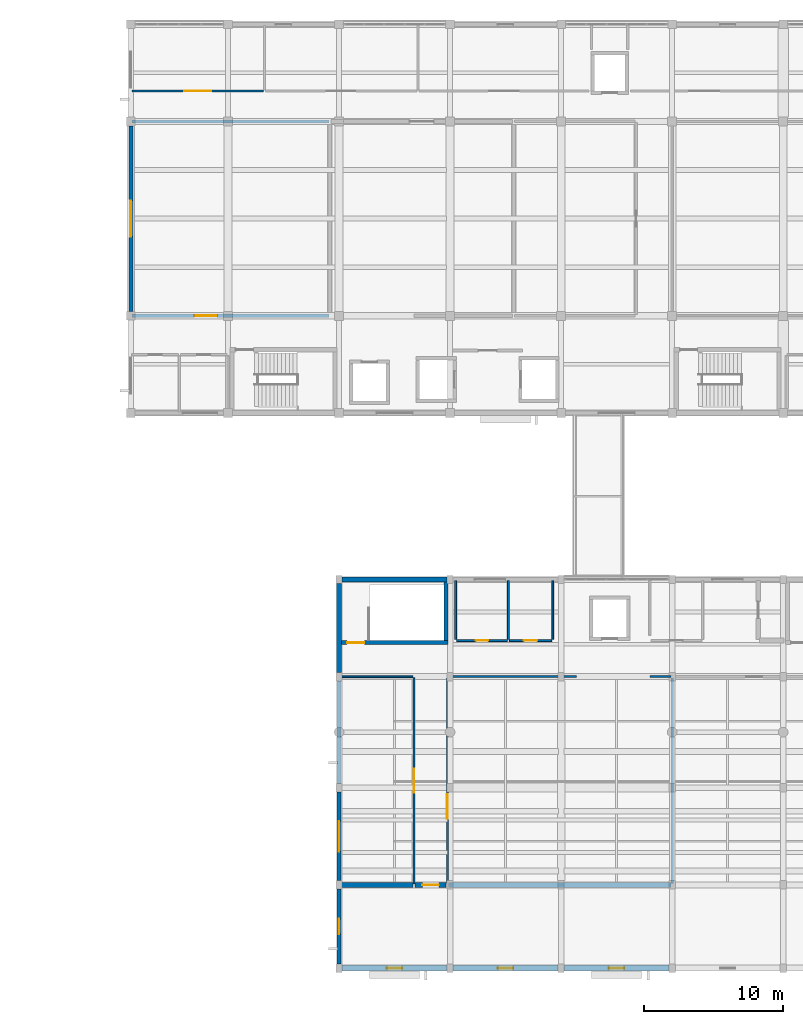
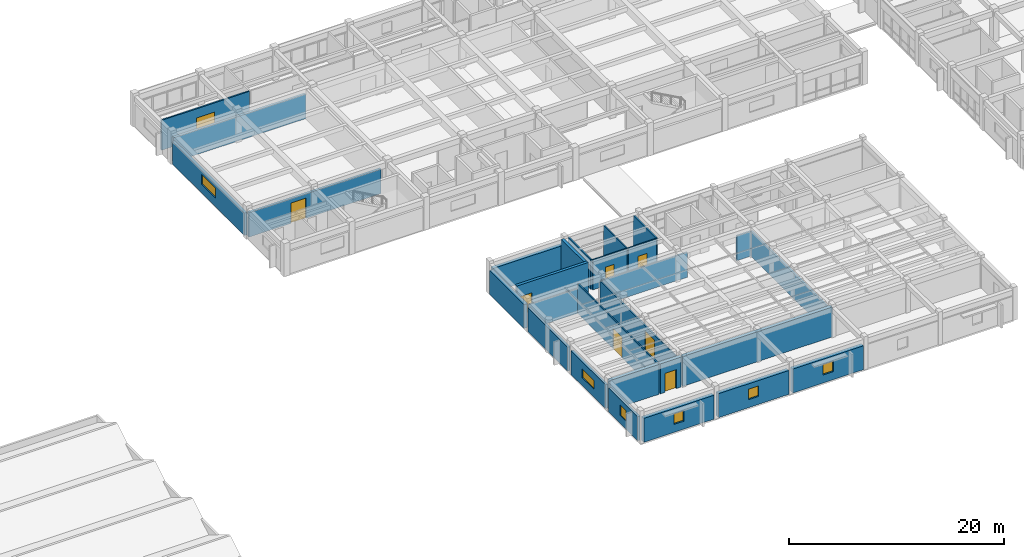
# One storey, part 22 of 33: 28 walls, 8 doors, 6 windows, 14 openings.
"""IFC4 building model written with IfcOpenShell, lengths in metres."""

from ifc_helpers import new_model, si_unit, direction, frame, frame_2d, origin, place, context, subcontext, project, spatial, rectangle, extrude, material, layer, layer_set, type_object, element, fill, save


model = new_model("IFC4")

# Units and contexts
model_context = context("Model", 3, precision=1e-05, world=origin(), true_north=direction((0.0, 1.0)))
body_context = subcontext(model_context, "Body", "Model", "MODEL_VIEW")
ifc_project = project(units=[si_unit("LENGTHUNIT", "METRE"), si_unit("AREAUNIT", "SQUARE_METRE"), si_unit("VOLUMEUNIT", "CUBIC_METRE"), si_unit("PLANEANGLEUNIT", "RADIAN"), si_unit("MASSUNIT", "GRAM", prefix="KILO")], contexts=[model_context])

# Site, building, storey
site_placement = place(None, origin())
site = spatial("IfcSite", under=ifc_project, at=site_placement, CompositionType="ELEMENT")
building_placement = place(site_placement, origin())
building = spatial("IfcBuilding", under=site, at=building_placement, Name="Naurynzar Civic Courthouse", CompositionType="ELEMENT")
storey_placement = place(building_placement, frame((0.0, 0.0, 22.050048828125)))
storey = spatial("IfcBuildingStorey", under=building, at=storey_placement, Name="L06", CompositionType="ELEMENT", Elevation=22.050048828125)

# Wall, opening, door
ifc_material_1 = material(Name="Acoustic Double-Stud Gypsum Partition")
ifc_layer_1 = layer(ifc_material_1, 0.2451171875)
ifc_layer_set_1 = layer_set([ifc_layer_1], Name="WL-ACOUSTIC-245")
wall_type_1 = type_object("IfcWallType", Name="WL-ACOUSTIC-245", PredefinedType="PARTITIONING", material=ifc_layer_set_1)
wall_1_placement = place(storey_placement, frame((62.080078125, 51.0, 0.0), z_axis=(0.0, 0.0, 1.0), x_axis=(1.0, 0.0, 0.0)))
wall_1 = element("IfcWall", 1, at=wall_1_placement, inside=storey, type_object=wall_type_1, Name="V2 interior partition L06.671", PredefinedType="PARTITIONING", context=body_context, shape_type="SweptSolid", body=[
    extrude(rectangle(XDim=14.179931640625, YDim=0.2451171875, at=frame_2d((7.08984375, 0.0))), origin(), (0.0, 0.0, 1.0), 2.780029296875),
])
opening_1_placement = place(wall_1_placement, frame((4.490478515625, 0.0, 0.0)))
opening_1 = element("IfcOpeningElement", 2, at=opening_1_placement, cuts=wall_1, Name="Opening D-166", PredefinedType="OPENING", context=body_context, shape_type="SweptSolid", body=[
    extrude(rectangle(XDim=1.64990234375, YDim=2.300048828125, at=frame_2d((0.824951171875, 1.14990234375))), frame((0.0, 0.132568359375, 0.0), z_axis=(0.0, -1.0, 0.0), x_axis=(1.0, 0.0, 0.0)), (0.0, 0.0, 1.0), 0.26513671875),
])
ifc_material_2 = material(Name="Acoustic Oak Timber Grade A", Category="wood")
door_type_1 = type_object("IfcDoorType", Name="DR-SUITE-1650x2300", OperationType="DOUBLE_DOOR_SINGLE_SWING", PredefinedType="DOOR", material=ifc_material_2)
door_1_placement = place(opening_1_placement, origin())
door_1 = element("IfcDoor", 3, at=door_1_placement, inside=storey, type_object=door_type_1, Name="Interior door D-166 (Tax and Customs Courtroom 6A)", OperationType="DOUBLE_DOOR_SINGLE_SWING", OverallHeight=2.300048828125, OverallWidth=1.64990234375, PredefinedType="DOOR", context=body_context, shape_type="SweptSolid", body=[
    extrude(rectangle(XDim=1.64990234375, YDim=2.300048828125, at=frame_2d((0.824951171875, 1.14990234375))), frame((0.0, 0.02490234375, 0.0), z_axis=(0.0, -1.0, 0.0), x_axis=(1.0, 0.0, 0.0)), (0.0, 0.0, 1.0), 0.050048828125),
])
fill(opening_1, door_1)

# Wall
wall_2_placement = place(storey_placement, frame((62.080078125, 65.0, 0.0), z_axis=(0.0, 0.0, 1.0), x_axis=(1.0, 0.0, 0.0)))
element("IfcWall", 4, at=wall_2_placement, inside=storey, type_object=wall_type_1, Name="V2 interior partition L06.677", PredefinedType="PARTITIONING", context=body_context, shape_type="SweptSolid", body=[
    extrude(rectangle(XDim=14.179931640625, YDim=0.2451171875, at=frame_2d((7.08984375, 0.0))), origin(), (0.0, 0.0, 1.0), 2.780029296875),
])

# Wall, opening, door
ifc_material_3 = material(Name="Concrete C40/50", Category="concrete")
ifc_layer_2 = layer(ifc_material_3, 0.300048828125)
ifc_layer_set_2 = layer_set([ifc_layer_2], Name="WL-CORE-300")
wall_type_2 = type_object("IfcWallType", Name="WL-CORE-300", PredefinedType="SHEAR", material=ifc_layer_set_2)
wall_3_placement = place(storey_placement, frame((77.195068359375, 27.449951171875, 0.0), z_axis=(0.0, 0.0, 1.0), x_axis=(1.0, 0.0, 0.0)))
wall_3 = element("IfcWall", 5, at=wall_3_placement, inside=storey, type_object=wall_type_2, Name="Stair ST-V3A enclosure wall south L06", PredefinedType="SHEAR", context=body_context, shape_type="SweptSolid", body=[
    extrude(rectangle(XDim=7.655029296875, YDim=0.300048828125, at=frame_2d((3.82763671875, 0.0))), origin(), (0.0, 0.0, 1.0), 3.469970703125),
])
opening_2_placement = place(wall_3_placement, frame((0.3798828125, 0.0, 0.0)))
opening_2 = element("IfcOpeningElement", 6, at=opening_2_placement, cuts=wall_3, Name="Opening SD-051", PredefinedType="OPENING", context=body_context, shape_type="SweptSolid", body=[
    extrude(rectangle(XDim=1.25, YDim=2.14990234375, at=frame_2d((0.625, 1.074951171875))), frame((0.0, 0.159912109375, 0.0), z_axis=(0.0, -1.0, 0.0), x_axis=(1.0, 0.0, 0.0)), (0.0, 0.0, 1.0), 0.320068359375),
])
ifc_material_4 = material(Name="Powder-Coated Galvanised Steel", Category="steel")
door_type_2 = type_object("IfcDoorType", Name="DR-STAIR-1250x2150", OperationType="NOTDEFINED", PredefinedType="DOOR", material=ifc_material_4)
door_2_placement = place(opening_2_placement, origin())
door_2 = element("IfcDoor", 7, at=door_2_placement, inside=storey, type_object=door_type_2, Name="Stair ST-V3A fire door L06", OperationType="SINGLE_SWING_LEFT", OverallHeight=2.14990234375, OverallWidth=1.25, PredefinedType="DOOR", context=body_context, shape_type="SweptSolid", body=[
    extrude(rectangle(XDim=1.25, YDim=2.14990234375, at=frame_2d((0.625, 1.074951171875))), frame((0.0, 0.02490234375, 0.0), z_axis=(0.0, -1.0, 0.0), x_axis=(1.0, 0.0, 0.0)), (0.0, 0.0, 1.0), 0.050048828125),
])
fill(opening_2, door_2)

# Walls
wall_4_placement = place(storey_placement, frame((84.699951171875, 27.60498046875, 0.0), z_axis=(0.0, 0.0, 1.0), x_axis=(0.0, 1.0, 0.0)))
element("IfcWall", 8, at=wall_4_placement, inside=storey, type_object=wall_type_2, Name="Stair ST-V3A enclosure wall east L06", PredefinedType="SHEAR", context=body_context, shape_type="SweptSolid", body=[
    extrude(rectangle(XDim=4.199951171875, YDim=0.300048828125, at=frame_2d((2.10009765625, 0.0))), origin(), (0.0, 0.0, 1.0), 3.469970703125),
])
ifc_material_5 = material(Name="Concrete C40/50", Category="concrete")
ifc_layer_3 = layer(ifc_material_5, 0.35009765625)
ifc_layer_set_3 = layer_set([ifc_layer_3], Name="WL-CORE-350")
wall_type_3 = type_object("IfcWallType", Name="WL-CORE-350", PredefinedType="SHEAR", material=ifc_layer_set_3)
wall_5_placement = place(storey_placement, frame((77.080078125, 10.0, 0.0), z_axis=(0.0, 0.0, 1.0), x_axis=(1.0, 0.0, 0.0)))
element("IfcWall", 9, at=wall_5_placement, inside=storey, type_object=wall_type_3, Name="V3 interior partition L06.649", PredefinedType="SHEAR", context=body_context, shape_type="SweptSolid", body=[
    extrude(rectangle(XDim=5.239990234375, YDim=0.35009765625, at=frame_2d((2.6201171875, 0.0))), origin(), (0.0, 0.0, 1.0), 3.389892578125),
])

# Wall, opening, door
wall_6_placement = place(storey_placement, frame((82.47998046875, 10.0, 0.0), z_axis=(0.0, 0.0, 1.0), x_axis=(1.0, 0.0, 0.0)))
wall_6 = element("IfcWall", 10, at=wall_6_placement, inside=storey, type_object=wall_type_3, Name="V3 interior partition L06.650", PredefinedType="SHEAR", context=body_context, shape_type="SweptSolid", body=[
    extrude(rectangle(XDim=2.239990234375, YDim=0.35009765625, at=frame_2d((1.1201171875, 0.0))), origin(), (0.0, 0.0, 1.0), 3.389892578125),
])
opening_3_placement = place(wall_6_placement, frame((0.52001953125, 0.0, 0.0)))
opening_3 = element("IfcOpeningElement", 11, at=opening_3_placement, cuts=wall_6, Name="Opening D-263", PredefinedType="OPENING", context=body_context, shape_type="SweptSolid", body=[
    extrude(rectangle(XDim=1.199951171875, YDim=2.14990234375, at=frame_2d((0.60009765625, 1.074951171875))), frame((0.0, 0.18505859375, 0.0), z_axis=(0.0, -1.0, 0.0), x_axis=(1.0, 0.0, 0.0)), (0.0, 0.0, 1.0), 0.3701171875),
])
ifc_material_6 = material(Name="Powder-Coated Galvanised Steel", Category="steel")
door_type_3 = type_object("IfcDoorType", Name="DR-ARCH-1200x2150", OperationType="NOTDEFINED", PredefinedType="DOOR", material=ifc_material_6)
door_3_placement = place(opening_3_placement, origin())
door_3 = element("IfcDoor", 12, at=door_3_placement, inside=storey, type_object=door_type_3, Name="Interior door D-263 (Law Library Book Stacks South L06)", OperationType="SINGLE_SWING_LEFT", OverallHeight=2.14990234375, OverallWidth=1.199951171875, PredefinedType="DOOR", context=body_context, shape_type="SweptSolid", body=[
    extrude(rectangle(XDim=1.199951171875, YDim=2.14990234375, at=frame_2d((0.60009765625, 1.074951171875))), frame((0.0, 0.02490234375, 0.0), z_axis=(0.0, -1.0, 0.0), x_axis=(1.0, 0.0, 0.0)), (0.0, 0.0, 1.0), 0.050048828125),
])
fill(opening_3, door_3)

# Wall
wall_7_placement = place(storey_placement, frame((84.8798828125, 10.0, 0.0), z_axis=(0.0, 0.0, 1.0), x_axis=(1.0, 0.0, 0.0)))
element("IfcWall", 13, at=wall_7_placement, inside=storey, type_object=wall_type_3, Name="V3 interior partition L06.651", PredefinedType="SHEAR", context=body_context, shape_type="SweptSolid", body=[
    extrude(rectangle(XDim=16.0400390625, YDim=0.35009765625, at=frame_2d((8.02001953125, 0.0))), origin(), (0.0, 0.0, 1.0), 3.389892578125),
])

# Wall, opening, window
ifc_material_7 = material(Name="Precast concrete C40/50", Category="concrete")
ifc_layer_4 = layer(ifc_material_7, 0.260009765625)
ifc_layer_set_4 = layer_set([ifc_layer_4], Name="WL-EXT-260")
wall_type_4 = type_object("IfcWallType", Name="WL-EXT-260", PredefinedType="SOLIDWALL", material=ifc_layer_set_4)
wall_8_placement = place(storey_placement, frame((77.0, 4.300048828125, 0.0), z_axis=(0.0, 0.0, 1.0), x_axis=(0.0, 1.0, 0.0)))
wall_8 = element("IfcWall", 14, at=wall_8_placement, inside=storey, type_object=wall_type_4, Name="V3 exterior wall west L06.1.1", PredefinedType="SOLIDWALL", context=body_context, shape_type="SweptSolid", body=[
    extrude(rectangle(XDim=5.39990234375, YDim=0.260009765625, at=frame_2d((2.699951171875, 0.0))), origin(), (0.0, 0.0, 1.0), 2.7099609375),
])
opening_4_placement = place(wall_8_placement, frame((2.14990234375, 0.0, 0.89990234375)))
opening_4 = element("IfcOpeningElement", 15, at=opening_4_placement, cuts=wall_8, Name="Opening WN-15", PredefinedType="OPENING", context=body_context, shape_type="SweptSolid", body=[
    extrude(rectangle(XDim=1.10009765625, YDim=1.199951171875, at=frame_2d((0.550048828125, 0.60009765625))), frame((0.0, 0.139892578125, 0.0), z_axis=(0.0, -1.0, 0.0), x_axis=(1.0, 0.0, 0.0)), (0.0, 0.0, 1.0), 0.280029296875),
])
ifc_material_8 = material(Name="Tempered Laminated Low-E Glass", Category="glass")
window_type_1 = type_object("IfcWindowType", Name="WIN-SEC-1100x1200", PartitioningType="SINGLE_PANEL", PredefinedType="WINDOW", material=ifc_material_8)
window_1_placement = place(opening_4_placement, origin())
window_1 = element("IfcWindow", 16, at=window_1_placement, inside=storey, type_object=window_type_1, Name="V3 window 202 L06", OverallHeight=1.199951171875, OverallWidth=1.10009765625, PartitioningType="SINGLE_PANEL", PredefinedType="WINDOW", context=body_context, shape_type="SweptSolid", body=[
    extrude(rectangle(XDim=1.10009765625, YDim=1.199951171875, at=frame_2d((0.550048828125, 0.60009765625))), frame((0.0, 0.030029296875, 0.0), z_axis=(0.0, -1.0, 0.0), x_axis=(1.0, 0.0, 0.0)), (0.0, 0.0, 1.0), 0.06005859375),
])
fill(opening_4, window_1)

wall_9_placement = place(storey_placement, frame((77.0, 10.300048828125, 0.0), z_axis=(0.0, 0.0, 1.0), x_axis=(0.0, 1.0, 0.0)))
wall_9 = element("IfcWall", 17, at=wall_9_placement, inside=storey, type_object=wall_type_4, Name="V3 exterior wall west L06.2.1", PredefinedType="SOLIDWALL", context=body_context, shape_type="SweptSolid", body=[
    extrude(rectangle(XDim=6.39990234375, YDim=0.260009765625, at=frame_2d((3.199951171875, 0.0))), origin(), (0.0, 0.0, 1.0), 2.7099609375),
])
opening_5_placement = place(wall_9_placement, frame((2.10009765625, 0.0, 0.89990234375)))
opening_5 = element("IfcOpeningElement", 18, at=opening_5_placement, cuts=wall_9, Name="Opening WN-18", PredefinedType="OPENING", context=body_context, shape_type="SweptSolid", body=[
    extrude(rectangle(XDim=2.199951171875, YDim=1.0, at=frame_2d((1.10009765625, 0.5))), frame((0.0, 0.139892578125, 0.0), z_axis=(0.0, -1.0, 0.0), x_axis=(1.0, 0.0, 0.0)), (0.0, 0.0, 1.0), 0.280029296875),
])
ifc_material_9 = material(Name="Tempered Laminated Low-E Glass", Category="glass")
window_type_2 = type_object("IfcWindowType", Name="WIN-CLER-2200x1000", PartitioningType="DOUBLE_PANEL_VERTICAL", PredefinedType="WINDOW", material=ifc_material_9)
window_2_placement = place(opening_5_placement, origin())
window_2 = element("IfcWindow", 19, at=window_2_placement, inside=storey, type_object=window_type_2, Name="V3 window 203 L06", OverallHeight=1.0, OverallWidth=2.199951171875, PartitioningType="SINGLE_PANEL", PredefinedType="WINDOW", context=body_context, shape_type="SweptSolid", body=[
    extrude(rectangle(XDim=2.199951171875, YDim=1.0, at=frame_2d((1.10009765625, 0.5))), frame((0.0, 0.030029296875, 0.0), z_axis=(0.0, -1.0, 0.0), x_axis=(1.0, 0.0, 0.0)), (0.0, 0.0, 1.0), 0.06005859375),
])
fill(opening_5, window_2)

# Wall
wall_10_placement = place(storey_placement, frame((77.0, 17.300048828125, 0.0), z_axis=(0.0, 0.0, 1.0), x_axis=(0.0, 1.0, 0.0)))
element("IfcWall", 20, at=wall_10_placement, inside=storey, type_object=wall_type_4, Name="V3 exterior wall west L06.3.1", PredefinedType="SOLIDWALL", context=body_context, shape_type="SweptSolid", body=[
    extrude(rectangle(XDim=7.39990234375, YDim=0.260009765625, at=frame_2d((3.699951171875, 0.0))), origin(), (0.0, 0.0, 1.0), 2.7099609375),
])

# Wall, opening, window
ifc_material_10 = material(Name="Precast concrete C40/50", Category="concrete")
ifc_layer_5 = layer(ifc_material_10, 0.280029296875)
ifc_layer_set_5 = layer_set([ifc_layer_5], Name="WL-EXT-280")
wall_type_5 = type_object("IfcWallType", Name="WL-EXT-280", PredefinedType="SOLIDWALL", material=ifc_layer_set_5)
wall_11_placement = place(storey_placement, frame((62.0, 51.3125, 0.0), z_axis=(0.0, 0.0, 1.0), x_axis=(0.0, 1.0, 0.0)))
wall_11 = element("IfcWall", 21, at=wall_11_placement, inside=storey, type_object=wall_type_5, Name="V2 exterior wall west L06.2.1", PredefinedType="SOLIDWALL", context=body_context, shape_type="SweptSolid", body=[
    extrude(rectangle(XDim=13.375, YDim=0.280029296875, at=frame_2d((6.6875, 0.0))), origin(), (0.0, 0.0, 1.0), 2.56005859375),
])
opening_6_placement = place(wall_11_placement, frame((5.387451171875, 0.0, 1.0)))
opening_6 = element("IfcOpeningElement", 22, at=opening_6_placement, cuts=wall_11, Name="Opening WN-17", PredefinedType="OPENING", context=body_context, shape_type="SweptSolid", body=[
    extrude(rectangle(XDim=2.60009765625, YDim=1.10009765625, at=frame_2d((1.300048828125, 0.550048828125))), frame((0.0, 0.14990234375, 0.0), z_axis=(0.0, -1.0, 0.0), x_axis=(1.0, 0.0, 0.0)), (0.0, 0.0, 1.0), 0.300048828125),
])
ifc_material_11 = material(Name="Tempered Laminated Low-E Glass", Category="glass")
window_type_3 = type_object("IfcWindowType", Name="WIN-CLER-2600x1100", PartitioningType="DOUBLE_PANEL_VERTICAL", PredefinedType="WINDOW", material=ifc_material_11)
window_3_placement = place(opening_6_placement, origin())
window_3 = element("IfcWindow", 23, at=window_3_placement, inside=storey, type_object=window_type_3, Name="V2 window 93 L06", OverallHeight=1.10009765625, OverallWidth=2.60009765625, PartitioningType="SINGLE_PANEL", PredefinedType="WINDOW", context=body_context, shape_type="SweptSolid", body=[
    extrude(rectangle(XDim=2.60009765625, YDim=1.10009765625, at=frame_2d((1.300048828125, 0.550048828125))), frame((0.0, 0.030029296875, 0.0), z_axis=(0.0, -1.0, 0.0), x_axis=(1.0, 0.0, 0.0)), (0.0, 0.0, 1.0), 0.06005859375),
])
fill(opening_6, window_3)

# Wall, opening, door
ifc_material_12 = material(Name="Insulated Metal-Stud Gypsum Partition")
ifc_layer_6 = layer(ifc_material_12, 0.159912109375)
ifc_layer_set_6 = layer_set([ifc_layer_6], Name="WL-PART-CHAMB-160")
wall_type_6 = type_object("IfcWallType", Name="WL-PART-CHAMB-160", PredefinedType="PARTITIONING", material=ifc_layer_set_6)
wall_12_placement = place(storey_placement, frame((62.080078125, 67.199951171875, 0.0), z_axis=(0.0, 0.0, 1.0), x_axis=(1.0, 0.0, 0.0)))
wall_12 = element("IfcWall", 24, at=wall_12_placement, inside=storey, type_object=wall_type_6, Name="V2 interior partition L06.684", PredefinedType="PARTITIONING", context=body_context, shape_type="SweptSolid", body=[
    extrude(rectangle(XDim=9.4599609375, YDim=0.159912109375, at=frame_2d((4.72998046875, 0.0))), origin(), (0.0, 0.0, 1.0), 3.389892578125),
])
opening_7_placement = place(wall_12_placement, frame((3.7548828125, 0.0, 0.0)))
opening_7 = element("IfcOpeningElement", 25, at=opening_7_placement, cuts=wall_12, Name="Opening D-170", PredefinedType="OPENING", context=body_context, shape_type="SweptSolid", body=[
    extrude(rectangle(XDim=1.949951171875, YDim=2.35009765625, at=frame_2d((0.97509765625, 1.175048828125))), frame((0.0, 0.08984375, 0.0), z_axis=(0.0, -1.0, 0.0), x_axis=(1.0, 0.0, 0.0)), (0.0, 0.0, 1.0), 0.179931640625),
])
ifc_material_13 = material(Name="Acoustic Oak Timber Grade A", Category="wood")
door_type_4 = type_object("IfcDoorType", Name="DR-SUITE-1950x2350", OperationType="DOUBLE_DOOR_SINGLE_SWING", PredefinedType="DOOR", material=ifc_material_13)
door_4_placement = place(opening_7_placement, origin())
door_4 = element("IfcDoor", 26, at=door_4_placement, inside=storey, type_object=door_type_4, Name="Interior door D-170 (Judges' Chambers L06-1)", OperationType="DOUBLE_DOOR_SINGLE_SWING", OverallHeight=2.35009765625, OverallWidth=1.949951171875, PredefinedType="DOOR", context=body_context, shape_type="SweptSolid", body=[
    extrude(rectangle(XDim=1.949951171875, YDim=2.35009765625, at=frame_2d((0.97509765625, 1.175048828125))), frame((0.0, 0.02490234375, 0.0), z_axis=(0.0, -1.0, 0.0), x_axis=(1.0, 0.0, 0.0)), (0.0, 0.0, 1.0), 0.050048828125),
])
fill(opening_7, door_4)

# Walls
ifc_material_14 = material(Name="Fire-Rated Corridor Gypsum Partition")
ifc_layer_7 = layer(ifc_material_14, 0.14990234375)
ifc_layer_set_7 = layer_set([ifc_layer_7], Name="WL-PART-CORR-150")
wall_type_7 = type_object("IfcWallType", Name="WL-PART-CORR-150", PredefinedType="PARTITIONING", material=ifc_layer_set_7)
wall_13_placement = place(storey_placement, frame((84.8798828125, 25.0, 0.0), z_axis=(0.0, 0.0, 1.0), x_axis=(1.0, 0.0, 0.0)))
element("IfcWall", 27, at=wall_13_placement, inside=storey, type_object=wall_type_7, Name="V3 interior partition L06.656", PredefinedType="PARTITIONING", context=body_context, shape_type="SweptSolid", body=[
    extrude(rectangle(XDim=9.22021484375, YDim=0.14990234375, at=frame_2d((4.610107421875, 0.0))), origin(), (0.0, 0.0, 1.0), 2.829833984375),
])
wall_14_placement = place(storey_placement, frame((99.39990234375, 25.0, 0.0), z_axis=(0.0, 0.0, 1.0), x_axis=(1.0, 0.0, 0.0)))
element("IfcWall", 28, at=wall_14_placement, inside=storey, type_object=wall_type_7, Name="V3 interior partition L06.657", PredefinedType="PARTITIONING", context=body_context, shape_type="SweptSolid", body=[
    extrude(rectangle(XDim=1.52001953125, YDim=0.14990234375, at=frame_2d((0.760009765625, 0.0))), origin(), (0.0, 0.0, 1.0), 2.829833984375),
])

# Wall, opening, door
wall_15_placement = place(storey_placement, frame((84.800048828125, 10.080078125, 0.0), z_axis=(0.0, 0.0, 1.0), x_axis=(0.0, 1.0, 0.0)))
wall_15 = element("IfcWall", 29, at=wall_15_placement, inside=storey, type_object=wall_type_7, Name="V3 interior partition L06.695", PredefinedType="PARTITIONING", context=body_context, shape_type="SweptSolid", body=[
    extrude(rectangle(XDim=14.83984375, YDim=0.14990234375, at=frame_2d((7.419921875, 0.0))), origin(), (0.0, 0.0, 1.0), 2.8798828125),
])
opening_8_placement = place(wall_15_placement, frame((4.6865234375, 0.0, 0.0)))
opening_8 = element("IfcOpeningElement", 30, at=opening_8_placement, cuts=wall_15, Name="Opening D-266", PredefinedType="OPENING", context=body_context, shape_type="SweptSolid", body=[
    extrude(rectangle(XDim=1.75, YDim=2.300048828125, at=frame_2d((0.875, 1.14990234375))), frame((0.0, 0.0849609375, 0.0), z_axis=(0.0, -1.0, 0.0), x_axis=(1.0, 0.0, 0.0)), (0.0, 0.0, 1.0), 0.169921875),
])
ifc_material_15 = material(Name="Acoustic Oak Timber Grade A", Category="wood")
door_type_5 = type_object("IfcDoorType", Name="DR-SUITE-1750x2300", OperationType="DOUBLE_DOOR_SINGLE_SWING", PredefinedType="DOOR", material=ifc_material_15)
door_5_placement = place(opening_8_placement, origin())
door_5 = element("IfcDoor", 31, at=door_5_placement, inside=storey, type_object=door_type_5, Name="Interior door D-266 (Law Library Reading Room L06)", OperationType="DOUBLE_DOOR_SINGLE_SWING", OverallHeight=2.300048828125, OverallWidth=1.75, PredefinedType="DOOR", context=body_context, shape_type="SweptSolid", body=[
    extrude(rectangle(XDim=1.75, YDim=2.300048828125, at=frame_2d((0.875, 1.14990234375))), frame((0.0, 0.02490234375, 0.0), z_axis=(0.0, -1.0, 0.0), x_axis=(1.0, 0.0, 0.0)), (0.0, 0.0, 1.0), 0.050048828125),
])
fill(opening_8, door_5)

# Walls
ifc_material_16 = material(Name="Acoustic Double-Stud Gypsum Partition")
ifc_layer_8 = layer(ifc_material_16, 0.179931640625)
ifc_layer_set_8 = layer_set([ifc_layer_8], Name="WL-PART-JURY-180")
wall_type_8 = type_object("IfcWallType", Name="WL-PART-JURY-180", PredefinedType="PARTITIONING", material=ifc_layer_set_8)
wall_16_placement = place(storey_placement, frame((101.0, 10.080078125, 0.0), z_axis=(0.0, 0.0, 1.0), x_axis=(0.0, 1.0, 0.0)))
element("IfcWall", 32, at=wall_16_placement, inside=storey, type_object=wall_type_8, Name="V3 interior partition L06.704", PredefinedType="PARTITIONING", context=body_context, shape_type="SweptSolid", body=[
    extrude(rectangle(XDim=14.83984375, YDim=0.179931640625, at=frame_2d((7.419921875, 0.0))), origin(), (0.0, 0.0, 1.0), 2.8798828125),
])
ifc_material_17 = material(Name="Metal-Stud Gypsum Partition")
ifc_layer_9 = layer(ifc_material_17, 0.125)
ifc_layer_set_9 = layer_set([ifc_layer_9], Name="WL-PART-STD-125")
wall_type_9 = type_object("IfcWallType", Name="WL-PART-STD-125", PredefinedType="PARTITIONING", material=ifc_layer_set_9)
wall_17_placement = place(storey_placement, frame((77.080078125, 25.0, 0.0), z_axis=(0.0, 0.0, 1.0), x_axis=(1.0, 0.0, 0.0)))
element("IfcWall", 33, at=wall_17_placement, inside=storey, type_object=wall_type_9, Name="V3 interior partition L06.655", PredefinedType="PARTITIONING", context=body_context, shape_type="SweptSolid", body=[
    extrude(rectangle(XDim=5.239990234375, YDim=0.125, at=frame_2d((2.6201171875, 0.0))), origin(), (0.0, 0.0, 1.0), 2.829833984375),
])

# Wall, opening, door
wall_18_placement = place(storey_placement, frame((82.39990234375, 10.080078125, 0.0), z_axis=(0.0, 0.0, 1.0), x_axis=(0.0, 1.0, 0.0)))
wall_18 = element("IfcWall", 34, at=wall_18_placement, inside=storey, type_object=wall_type_9, Name="V3 interior partition L06.693", PredefinedType="PARTITIONING", context=body_context, shape_type="SweptSolid", body=[
    extrude(rectangle(XDim=14.83984375, YDim=0.125, at=frame_2d((7.419921875, 0.0))), origin(), (0.0, 0.0, 1.0), 3.389892578125),
])
opening_9_placement = place(wall_18_placement, frame((6.570068359375, 0.0, 0.0)))
opening_9 = element("IfcOpeningElement", 35, at=opening_9_placement, cuts=wall_18, Name="Opening D-265", PredefinedType="OPENING", context=body_context, shape_type="SweptSolid", body=[
    extrude(rectangle(XDim=1.699951171875, YDim=2.300048828125, at=frame_2d((0.85009765625, 1.14990234375))), frame((0.0, 0.072509765625, 0.0), z_axis=(0.0, -1.0, 0.0), x_axis=(1.0, 0.0, 0.0)), (0.0, 0.0, 1.0), 0.14501953125),
])
ifc_material_18 = material(Name="Acoustic Oak Timber Grade A", Category="wood")
door_type_6 = type_object("IfcDoorType", Name="DR-SUITE-1700x2300", OperationType="DOUBLE_DOOR_SINGLE_SWING", PredefinedType="DOOR", material=ifc_material_18)
door_6_placement = place(opening_9_placement, origin())
door_6 = element("IfcDoor", 36, at=door_6_placement, inside=storey, type_object=door_type_6, Name="Interior door D-265 (Law Library Reading Room West L06)", OperationType="DOUBLE_DOOR_SINGLE_SWING", OverallHeight=2.300048828125, OverallWidth=1.699951171875, PredefinedType="DOOR", context=body_context, shape_type="SweptSolid", body=[
    extrude(rectangle(XDim=1.699951171875, YDim=2.300048828125, at=frame_2d((0.85009765625, 1.14990234375))), frame((0.0, 0.02490234375, 0.0), z_axis=(0.0, -1.0, 0.0), x_axis=(1.0, 0.0, 0.0)), (0.0, 0.0, 1.0), 0.050048828125),
])
fill(opening_9, door_6)

ifc_material_19 = material(Name="Moisture-Resistant Plumbing Partition")
ifc_layer_10 = layer(ifc_material_19, 0.139892578125)
ifc_layer_set_10 = layer_set([ifc_layer_10], Name="WL-PART-WC-140")
wall_type_10 = type_object("IfcWallType", Name="WL-PART-WC-140", PredefinedType="PLUMBINGWALL", material=ifc_layer_set_10)
wall_19_placement = place(storey_placement, frame((85.47998046875, 27.60009765625, 0.0), z_axis=(0.0, 0.0, 1.0), x_axis=(1.0, 0.0, 0.0)))
wall_19 = element("IfcWall", 37, at=wall_19_placement, inside=storey, type_object=wall_type_10, Name="V3 interior partition L06.660", PredefinedType="PLUMBINGWALL", context=body_context, shape_type="SweptSolid", body=[
    extrude(rectangle(XDim=3.64013671875, YDim=0.139892578125, at=frame_2d((1.820068359375, 0.0))), origin(), (0.0, 0.0, 1.0), 3.389892578125),
])
opening_10_placement = place(wall_19_placement, frame((1.360107421875, 0.0, 0.0)))
opening_10 = element("IfcOpeningElement", 38, at=opening_10_placement, cuts=wall_19, Name="Opening D-260", PredefinedType="OPENING", context=body_context, shape_type="SweptSolid", body=[
    extrude(rectangle(XDim=0.919921875, YDim=2.10009765625, at=frame_2d((0.4599609375, 1.050048828125))), frame((0.0, 0.079833984375, 0.0), z_axis=(0.0, -1.0, 0.0), x_axis=(1.0, 0.0, 0.0)), (0.0, 0.0, 1.0), 0.159912109375),
])
ifc_material_20 = material(Name="Acoustic Oak Timber Grade A", Category="wood")
door_type_7 = type_object("IfcDoorType", Name="DR-WC-STD-920x2100", OperationType="NOTDEFINED", PredefinedType="DOOR", material=ifc_material_20)
door_7_placement = place(opening_10_placement, origin())
door_7 = element("IfcDoor", 39, at=door_7_placement, inside=storey, type_object=door_type_7, Name="Interior door D-260 (Public WC V3)", OperationType="SINGLE_SWING_RIGHT", OverallHeight=2.10009765625, OverallWidth=0.919921875, PredefinedType="DOOR", context=body_context, shape_type="SweptSolid", body=[
    extrude(rectangle(XDim=0.919921875, YDim=2.10009765625, at=frame_2d((0.4599609375, 1.050048828125))), frame((0.0, 0.02490234375, 0.0), z_axis=(0.0, -1.0, 0.0), x_axis=(1.0, 0.0, 0.0)), (0.0, 0.0, 1.0), 0.050048828125),
])
fill(opening_10, door_7)

wall_20_placement = place(storey_placement, frame((89.280029296875, 27.60009765625, 0.0), z_axis=(0.0, 0.0, 1.0), x_axis=(1.0, 0.0, 0.0)))
wall_20 = element("IfcWall", 40, at=wall_20_placement, inside=storey, type_object=wall_type_10, Name="V3 interior partition L06.661", PredefinedType="PLUMBINGWALL", context=body_context, shape_type="SweptSolid", body=[
    extrude(rectangle(XDim=3.0400390625, YDim=0.139892578125, at=frame_2d((1.52001953125, 0.0))), origin(), (0.0, 0.0, 1.0), 3.389892578125),
])
opening_11_placement = place(wall_20_placement, frame((1.0400390625, 0.0, 0.0)))
opening_11 = element("IfcOpeningElement", 41, at=opening_11_placement, cuts=wall_20, Name="Opening D-261", PredefinedType="OPENING", context=body_context, shape_type="SweptSolid", body=[
    extrude(rectangle(XDim=0.9599609375, YDim=2.10009765625, at=frame_2d((0.47998046875, 1.050048828125))), frame((0.0, 0.079833984375, 0.0), z_axis=(0.0, -1.0, 0.0), x_axis=(1.0, 0.0, 0.0)), (0.0, 0.0, 1.0), 0.159912109375),
])
ifc_material_21 = material(Name="Acoustic Oak Timber Grade A", Category="wood")
door_type_8 = type_object("IfcDoorType", Name="DR-WC-ACC-960x2100", OperationType="NOTDEFINED", PredefinedType="DOOR", material=ifc_material_21)
door_8_placement = place(opening_11_placement, origin())
door_8 = element("IfcDoor", 42, at=door_8_placement, inside=storey, type_object=door_type_8, Name="Interior door D-261 (Accessible WC V3)", OperationType="SINGLE_SWING_LEFT", OverallHeight=2.10009765625, OverallWidth=0.9599609375, PredefinedType="DOOR", context=body_context, shape_type="SweptSolid", body=[
    extrude(rectangle(XDim=0.9599609375, YDim=2.10009765625, at=frame_2d((0.47998046875, 1.050048828125))), frame((0.0, 0.02490234375, 0.0), z_axis=(0.0, -1.0, 0.0), x_axis=(1.0, 0.0, 0.0)), (0.0, 0.0, 1.0), 0.050048828125),
])
fill(opening_11, door_8)

# Walls
for number, where, z_axis, x_axis, name in (
    (43, (85.39990234375, 27.679931640625, 0.0), (0.0, 0.0, 1.0), (0.0, 1.0, 0.0), "V3 interior partition L06.696"),
    (44, (89.199951171875, 27.679931640625, 0.0), (0.0, 0.0, 1.0), (0.0, 1.0, 0.0), "V3 interior partition L06.697"),
    (45, (92.39990234375, 27.679931640625, 0.0), (0.0, 0.0, 1.0), (0.0, 1.0, 0.0), "V3 interior partition L06.699"),
):
    element("IfcWall", number, at=place(storey_placement, frame(where, z_axis=z_axis, x_axis=x_axis)), inside=storey, type_object=wall_type_10, Name=name, PredefinedType="PLUMBINGWALL", context=body_context, shape_type="SweptSolid", body=[
        extrude(rectangle(XDim=4.239990234375, YDim=0.139892578125, at=frame_2d((2.1201171875, 0.0))), origin(), (0.0, 0.0, 1.0), 3.389892578125),
    ])
ifc_material_22 = material(Name="Concrete C40/50", Category="concrete")
ifc_layer_11 = layer(ifc_material_22, 0.3798828125)
ifc_layer_set_11 = layer_set([ifc_layer_11], Name="WL-RET-380")
wall_type_11 = type_object("IfcWallType", Name="WL-RET-380", PredefinedType="STANDARD", material=ifc_layer_set_11)
wall_21_placement = place(storey_placement, frame((77.0, 25.300048828125, 0.0), z_axis=(0.0, 0.0, 1.0), x_axis=(0.0, 1.0, 0.0)))
element("IfcWall", 46, at=wall_21_placement, inside=storey, type_object=wall_type_11, Name="V3 exterior wall west L06.4.1", PredefinedType="STANDARD", context=body_context, shape_type="SweptSolid", body=[
    extrude(rectangle(XDim=6.39990234375, YDim=0.3798828125, at=frame_2d((3.199951171875, 0.0))), origin(), (0.0, 0.0, 1.0), 2.7099609375),
])
wall_22_placement = place(storey_placement, frame((77.22509765625, 32.0, 0.0), z_axis=(0.0, 0.0, 1.0), x_axis=(1.0, 0.0, 0.0)))
element("IfcWall", 47, at=wall_22_placement, inside=storey, type_object=wall_type_11, Name="V3 exterior wall north L06.1.1", PredefinedType="STANDARD", context=body_context, shape_type="SweptSolid", body=[
    extrude(rectangle(XDim=7.5498046875, YDim=0.3798828125, at=frame_2d((3.77490234375, 0.0))), origin(), (0.0, 0.0, 1.0), 2.7099609375),
])

# Wall, opening, window
ifc_material_23 = material(Name="Concrete C40/50", Category="concrete")
ifc_layer_12 = layer(ifc_material_23, 0.419921875)
ifc_layer_set_12 = layer_set([ifc_layer_12], Name="WL-STACK-420")
wall_type_12 = type_object("IfcWallType", Name="WL-STACK-420", PredefinedType="SOLIDWALL", material=ifc_layer_set_12)
wall_23_placement = place(storey_placement, frame((100.77490234375, 4.0, 0.0), z_axis=(0.0, 0.0, 1.0), x_axis=(-1.0, 0.0, 0.0)))
wall_23 = element("IfcWall", 48, at=wall_23_placement, inside=storey, type_object=wall_type_12, Name="V3 exterior wall south L06.3.1", PredefinedType="SOLIDWALL", context=body_context, shape_type="SweptSolid", body=[
    extrude(rectangle(XDim=7.5498046875, YDim=0.419921875, at=frame_2d((3.77490234375, 0.0))), origin(), (0.0, 0.0, 1.0), 2.7099609375),
])
opening_12_placement = place(wall_23_placement, frame((3.22509765625, 0.0, 0.89990234375)))
opening_12 = element("IfcOpeningElement", 49, at=opening_12_placement, cuts=wall_23, Name="Opening WN-15", PredefinedType="OPENING", context=body_context, shape_type="SweptSolid", body=[
    extrude(rectangle(XDim=1.10009765625, YDim=1.199951171875, at=frame_2d((0.550048828125, 0.60009765625))), frame((0.0, 0.219970703125, 0.0), z_axis=(0.0, -1.0, 0.0), x_axis=(1.0, 0.0, 0.0)), (0.0, 0.0, 1.0), 0.43994140625),
])
window_4_placement = place(opening_12_placement, origin())
window_4 = element("IfcWindow", 50, at=window_4_placement, inside=storey, type_object=window_type_1, Name="V3 window 211 L06", OverallHeight=1.199951171875, OverallWidth=1.10009765625, PartitioningType="SINGLE_PANEL", PredefinedType="WINDOW", context=body_context, shape_type="SweptSolid", body=[
    extrude(rectangle(XDim=1.10009765625, YDim=1.199951171875, at=frame_2d((0.550048828125, 0.60009765625))), frame((0.0, 0.030029296875, 0.0), z_axis=(0.0, -1.0, 0.0), x_axis=(1.0, 0.0, 0.0)), (0.0, 0.0, 1.0), 0.06005859375),
])
fill(opening_12, window_4)

wall_24_placement = place(storey_placement, frame((92.77490234375, 4.0, 0.0), z_axis=(0.0, 0.0, 1.0), x_axis=(-1.0, 0.0, 0.0)))
wall_24 = element("IfcWall", 51, at=wall_24_placement, inside=storey, type_object=wall_type_12, Name="V3 exterior wall south L06.4.1", PredefinedType="SOLIDWALL", context=body_context, shape_type="SweptSolid", body=[
    extrude(rectangle(XDim=7.5498046875, YDim=0.419921875, at=frame_2d((3.77490234375, 0.0))), origin(), (0.0, 0.0, 1.0), 2.7099609375),
])
opening_13_placement = place(wall_24_placement, frame((3.22509765625, 0.0, 0.89990234375)))
opening_13 = element("IfcOpeningElement", 52, at=opening_13_placement, cuts=wall_24, Name="Opening WN-15", PredefinedType="OPENING", context=body_context, shape_type="SweptSolid", body=[
    extrude(rectangle(XDim=1.10009765625, YDim=1.199951171875, at=frame_2d((0.550048828125, 0.60009765625))), frame((0.0, 0.219970703125, 0.0), z_axis=(0.0, -1.0, 0.0), x_axis=(1.0, 0.0, 0.0)), (0.0, 0.0, 1.0), 0.43994140625),
])
window_5_placement = place(opening_13_placement, origin())
window_5 = element("IfcWindow", 53, at=window_5_placement, inside=storey, type_object=window_type_1, Name="V3 window 212 L06", OverallHeight=1.199951171875, OverallWidth=1.10009765625, PartitioningType="SINGLE_PANEL", PredefinedType="WINDOW", context=body_context, shape_type="SweptSolid", body=[
    extrude(rectangle(XDim=1.10009765625, YDim=1.199951171875, at=frame_2d((0.550048828125, 0.60009765625))), frame((0.0, 0.030029296875, 0.0), z_axis=(0.0, -1.0, 0.0), x_axis=(1.0, 0.0, 0.0)), (0.0, 0.0, 1.0), 0.06005859375),
])
fill(opening_13, window_5)

wall_25_placement = place(storey_placement, frame((84.77490234375, 4.0, 0.0), z_axis=(0.0, 0.0, 1.0), x_axis=(-1.0, 0.0, 0.0)))
wall_25 = element("IfcWall", 54, at=wall_25_placement, inside=storey, type_object=wall_type_12, Name="V3 exterior wall south L06.5.1", PredefinedType="SOLIDWALL", context=body_context, shape_type="SweptSolid", body=[
    extrude(rectangle(XDim=7.5498046875, YDim=0.419921875, at=frame_2d((3.77490234375, 0.0))), origin(), (0.0, 0.0, 1.0), 2.7099609375),
])
opening_14_placement = place(wall_25_placement, frame((3.22509765625, 0.0, 0.89990234375)))
opening_14 = element("IfcOpeningElement", 55, at=opening_14_placement, cuts=wall_25, Name="Opening WN-15", PredefinedType="OPENING", context=body_context, shape_type="SweptSolid", body=[
    extrude(rectangle(XDim=1.10009765625, YDim=1.199951171875, at=frame_2d((0.550048828125, 0.60009765625))), frame((0.0, 0.219970703125, 0.0), z_axis=(0.0, -1.0, 0.0), x_axis=(1.0, 0.0, 0.0)), (0.0, 0.0, 1.0), 0.43994140625),
])
window_6_placement = place(opening_14_placement, origin())
window_6 = element("IfcWindow", 56, at=window_6_placement, inside=storey, type_object=window_type_1, Name="V3 window 213 L06", OverallHeight=1.199951171875, OverallWidth=1.10009765625, PartitioningType="SINGLE_PANEL", PredefinedType="WINDOW", context=body_context, shape_type="SweptSolid", body=[
    extrude(rectangle(XDim=1.10009765625, YDim=1.199951171875, at=frame_2d((0.550048828125, 0.60009765625))), frame((0.0, 0.030029296875, 0.0), z_axis=(0.0, -1.0, 0.0), x_axis=(1.0, 0.0, 0.0)), (0.0, 0.0, 1.0), 0.06005859375),
])
fill(opening_14, window_6)

save(model, "model.ifc")
